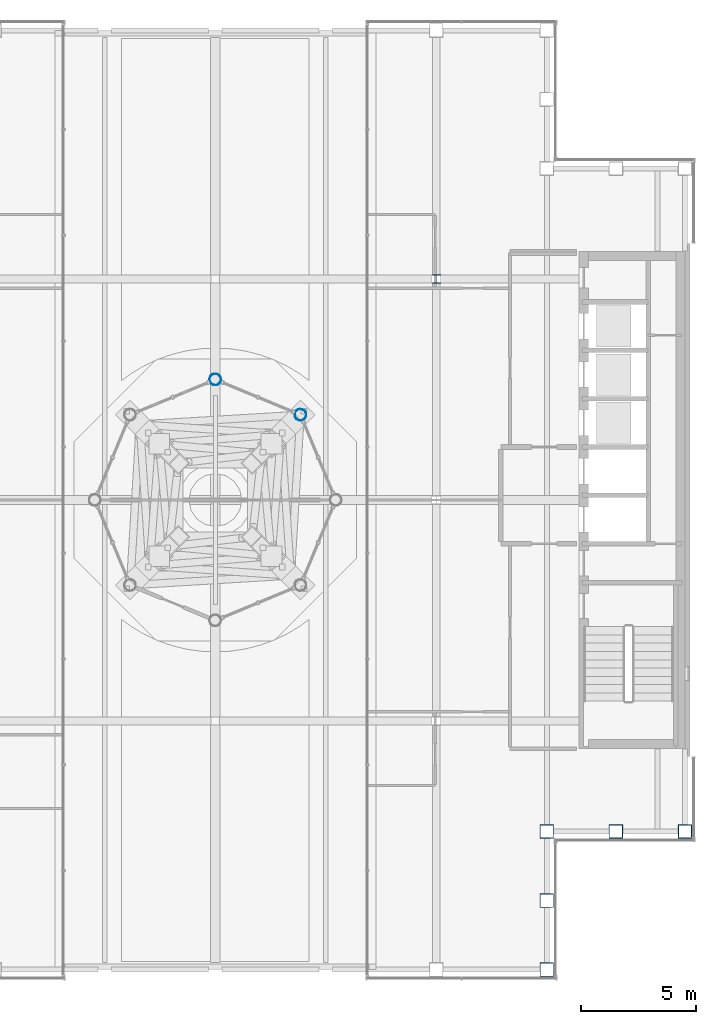
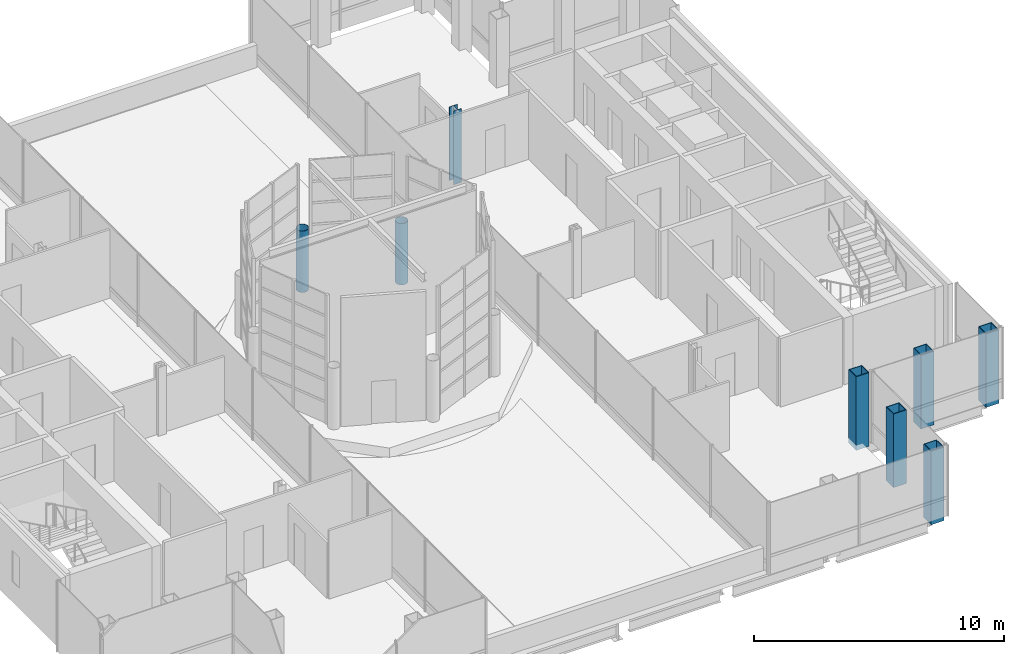
# One storey, part 3 of 32: 8 columns.
"""IFC4 building model written with IfcOpenShell, lengths in metres."""

from ifc_helpers import new_model, si_unit, direction, frame, origin, origin_2d, place, context, subcontext, project, spatial, hollow_rectangle, hollow_circle, i_section, extrude, material, material_profile, profile_set, type_object, element, save


model = new_model("IFC4")

# Units and contexts
model_context = context("Model", 3, precision=1e-05, world=origin(), true_north=direction((0.0, 1.0)))
body_context = subcontext(model_context, "Body", "Model", "MODEL_VIEW")
ifc_project = project(units=[si_unit("LENGTHUNIT", "METRE"), si_unit("AREAUNIT", "SQUARE_METRE"), si_unit("VOLUMEUNIT", "CUBIC_METRE"), si_unit("PLANEANGLEUNIT", "RADIAN"), si_unit("MASSUNIT", "GRAM", prefix="KILO")], contexts=[model_context])

# Site, building, storey
site_placement = place(None, origin())
site = spatial("IfcSite", under=ifc_project, at=site_placement, CompositionType="ELEMENT")
building_placement = place(site_placement, origin())
building = spatial("IfcBuilding", under=site, at=building_placement, Name="Cobrizo Arcos Hotel Tower", CompositionType="ELEMENT")
storey_placement = place(building_placement, frame((0.0, 0.0, 265.5)))
storey = spatial("IfcBuildingStorey", under=building, at=storey_placement, Name="L70", CompositionType="ELEMENT", Elevation=265.5)

# Columns
ifc_material_1 = material(Name="Steel ASTM A572 Grade 50", Category="steel")
ifc_material_profile_1 = material_profile(ifc_material_1, hollow_rectangle(XDim=0.60009765625, YDim=0.60009765625, WallThickness=0.030029296875, at=origin_2d()), Name="BOX 600X600X30")
ifc_profile_set_1 = profile_set([ifc_material_profile_1], Name="Steel ASTM A572 Grade 50")
column_type_1 = type_object("IfcColumnType", Name="BOX 600X600X30 column", PredefinedType="COLUMN", material=ifc_profile_set_1)
for number, where, z_axis, x_axis, name in (
    (1, (14.39990234375, -20.39990234375, -0.25), (0.0, 0.0, 1.0), (1.0, 0.0, 0.0), "Perimeter column C12, L70, no. 07"),
    (2, (20.39990234375, -14.39990234375, -0.25), (0.0, 0.0, 1.0), (1.0, 0.0, 0.0), "Perimeter column C12, L70, no. 08"),
    (3, (14.39990234375, -14.39990234375, -0.25), (0.0, 0.0, 1.0), (1.0, 0.0, 0.0), "Perimeter column C12, L70, no. 18"),
    (4, (14.39990234375, -17.39990234375, -0.25), (0.0, 0.0, 1.0), (1.0, 0.0, 0.0), "Perimeter column C12, L70, no. 19"),
    (5, (17.39990234375, -14.39990234375, -0.25), (0.0, 0.0, 1.0), (1.0, 0.0, 0.0), "Perimeter column C12, L70, no. 20"),
):
    element("IfcColumn", number, at=place(storey_placement, frame(where, z_axis=z_axis, x_axis=x_axis)), inside=storey, type_object=column_type_1, Name=name, PredefinedType="COLUMN", context=body_context, shape_type="SweptSolid", body=[
        extrude(hollow_rectangle(XDim=0.60009765625, YDim=0.60009765625, WallThickness=0.030029296875, at=origin_2d()), origin(), (0.0, 0.0, 1.0), 3.60009765625),
    ])
ifc_material_2 = material(Name="Steel ASTM A500 Grade C", Category="steel")
ifc_material_profile_2 = material_profile(ifc_material_2, hollow_circle(Radius=0.25390625, WallThickness=0.01171875, at=origin_2d()), Name="HSS20.000X0.500")
ifc_profile_set_2 = profile_set([ifc_material_profile_2], Name="Steel ASTM A500 Grade C")
column_type_2 = type_object("IfcColumnType", Name="HSS20.000X0.500 drum column", PredefinedType="COLUMN", material=ifc_profile_set_2)
for number, where, z_axis, x_axis, name in (
    (6, (3.699951171875, 3.699951171875, 0.5), (0.0, 0.0, 1.0), (1.0, 0.0, 0.0), "Drum column DC2, line 1, no. 0"),
    (7, (0.0, 5.232666015625, 0.5), (0.0, 0.0, 1.0), (1.0, 0.0, 0.0), "Drum column DC3, line 2, no. 0"),
):
    element("IfcColumn", number, at=place(storey_placement, frame(where, z_axis=z_axis, x_axis=x_axis)), inside=storey, type_object=column_type_2, Name=name, PredefinedType="COLUMN", context=body_context, shape_type="SweptSolid", body=[
        extrude(hollow_circle(Radius=0.25390625, WallThickness=0.01171875, at=origin_2d()), origin(), (0.0, 0.0, 1.0), 3.0),
    ])
ifc_material_3 = material(Name="Steel ASTM A992 Grade 50", Category="steel")
ifc_material_profile_3 = material_profile(ifc_material_3, i_section(OverallWidth=0.368408203125, OverallDepth=0.355712890625, WebThickness=0.01123046875, FlangeThickness=0.01806640625, at=origin_2d()), Name="W14X90")
ifc_profile_set_3 = profile_set([ifc_material_profile_3], Name="Steel ASTM A992 Grade 50")
column_type_3 = type_object("IfcColumnType", Name="W14X90 interior column", PredefinedType="COLUMN", material=ifc_profile_set_3)
column_placement = place(storey_placement, frame((9.60009765625, 9.60009765625, -0.25), z_axis=(0.0, 0.0, 1.0), x_axis=(1.0, 0.0, 0.0)))
element("IfcColumn", 8, at=column_placement, inside=storey, type_object=column_type_3, Name="Interior column C13, L70, no. 05", PredefinedType="COLUMN", context=body_context, shape_type="SweptSolid", body=[
    extrude(i_section(OverallWidth=0.368408203125, OverallDepth=0.355712890625, WebThickness=0.01123046875, FlangeThickness=0.01806640625, at=origin_2d()), origin(), (0.0, 0.0, 1.0), 3.60009765625),
])

save(model, "model.ifc")
